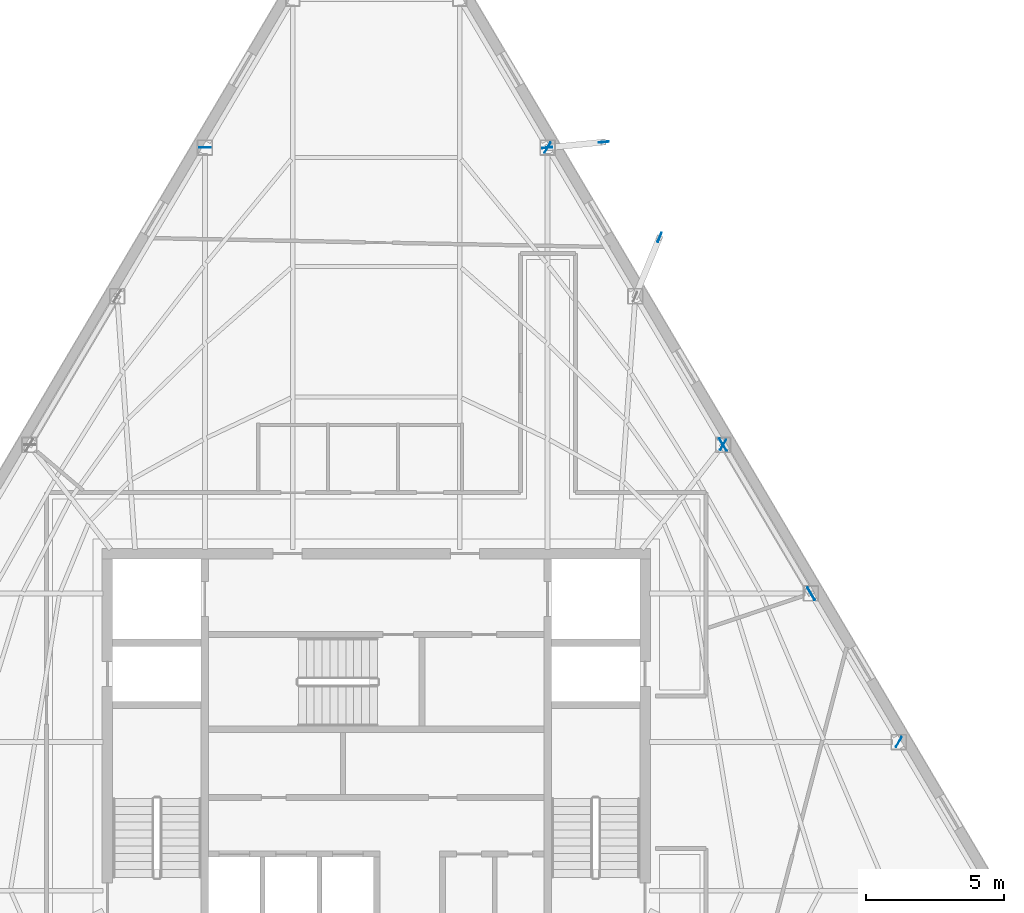
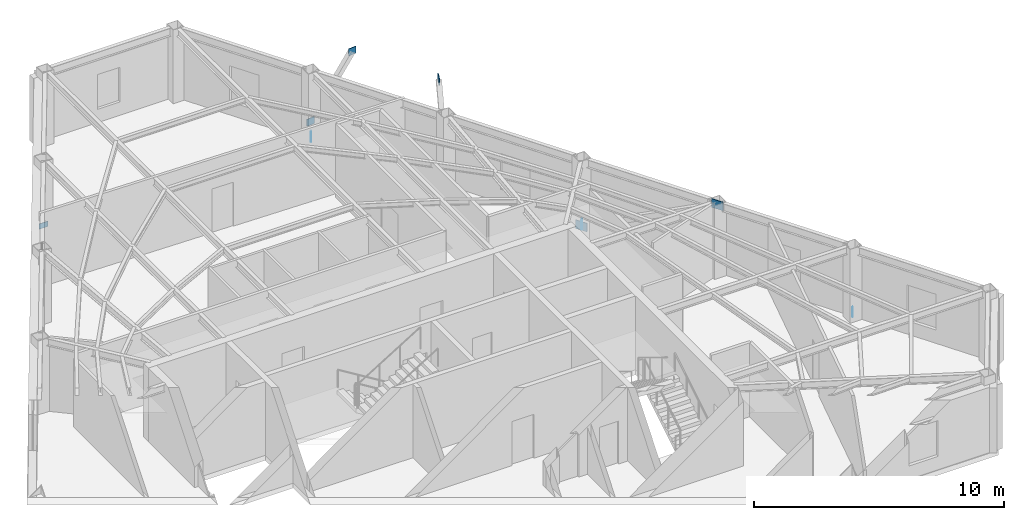
# One storey, part 6 of 10: 9 plates.
"""IFC4 building model written with IfcOpenShell, lengths in metres."""

from ifc_helpers import new_model, si_unit, direction, frame, origin, origin_2d, place, context, subcontext, project, spatial, rectangle, extrude, material, layer, layer_set, type_object, element, save


model = new_model("IFC4")

# Units and contexts
model_context = context("Model", 3, precision=1e-05, world=origin(), true_north=direction((0.0, 1.0)))
body_context = subcontext(model_context, "Body", "Model", "MODEL_VIEW")
ifc_project = project(units=[si_unit("LENGTHUNIT", "METRE"), si_unit("AREAUNIT", "SQUARE_METRE"), si_unit("VOLUMEUNIT", "CUBIC_METRE"), si_unit("PLANEANGLEUNIT", "RADIAN"), si_unit("MASSUNIT", "GRAM", prefix="KILO")], contexts=[model_context])

# Site, building, storey
site_placement = place(None, origin())
site = spatial("IfcSite", under=ifc_project, at=site_placement, CompositionType="ELEMENT")
building_placement = place(site_placement, origin())
building = spatial("IfcBuilding", under=site, at=building_placement, Name="Kavelnor Concourse Tower", CompositionType="ELEMENT")
storey_placement = place(building_placement, frame((0.0, 0.0, 274.14990234375)))
storey = spatial("IfcBuildingStorey", under=building, at=storey_placement, Name="L69", CompositionType="ELEMENT", Elevation=274.14990234375)

# Plates
ifc_material = material(Name="Steel Grade 350", Category="steel")
ifc_layer_1 = layer(ifc_material, 0.028076171875, Name="Steel Grade 350")
ifc_layer_set_1 = layer_set([ifc_layer_1], Name="Steel Grade 350")
plate_type_1 = type_object("IfcPlateType", Name="PL-GUSSET-FOLD", PredefinedType="USERDEFINED", material=ifc_layer_set_1)
for number, where, z_axis, x_axis, name in (
    (1, (48.22998046875, 34.209228515625, 3.48486328125), (0.0, 0.0, 1.0), (0.380586232965, 0.924745434851, 0.0), "L69 Balcony Strut Gusset GP4 2-A End Gusset B"),
    (2, (44.173095703125, 37.447509765625, 0.8798828125), (0.0, 0.0, 1.0), (0.995141863893, 0.098451362239, 0.0), "L69 Balcony Strut Gusset GP4 2-B End Gusset A"),
    (3, (46.212646484375, 37.649169921875, 3.48486328125), (0.0, 0.0, 1.0), (0.995141863893, 0.098451362239, 0.0), "L69 Balcony Strut Gusset GP4 2-B End Gusset B"),
):
    element("IfcPlate", number, at=place(storey_placement, frame(where, z_axis=z_axis, x_axis=x_axis)), inside=storey, type_object=plate_type_1, Name=name, ObjectType="GUSSET_PLATE", PredefinedType="USERDEFINED", context=body_context, shape_type="SweptSolid", body=[
        extrude(rectangle(XDim=0.360107421875, YDim=0.028076171875, at=origin_2d()), origin(), (0.0, 0.0, 1.0), 0.340087890625),
    ])
ifc_layer_2 = layer(ifc_material, 0.031982421875, Name="Steel Grade 350")
ifc_layer_set_2 = layer_set([ifc_layer_2], Name="Steel Grade 350")
plate_type_2 = type_object("IfcPlateType", Name="PL-GUSSET-TUBE-Z1", PredefinedType="USERDEFINED", material=ifc_layer_set_2)
for number, where, z_axis, x_axis, name in (
    (4, (50.519287109375, 26.728515625, 0.01025390625), (0.0, 0.0, 1.0), (0.508740929096, -0.860919663536, 0.0), "L69 Tube Brace Gusset GP3 F2-B2 End Gusset A"),
    (5, (53.701904296875, 21.342529296875, 3.197021484375), (0.0, 0.0, 1.0), (0.508740929096, -0.860919663536, 0.0), "L69 Tube Brace Gusset GP3 F2-B2 End Gusset B"),
):
    element("IfcPlate", number, at=place(storey_placement, frame(where, z_axis=z_axis, x_axis=x_axis)), inside=storey, type_object=plate_type_2, Name=name, ObjectType="GUSSET_PLATE", PredefinedType="USERDEFINED", context=body_context, shape_type="SweptSolid", body=[
        extrude(rectangle(XDim=0.52001953125, YDim=0.031982421875, at=origin_2d()), origin(), (0.0, 0.0, 1.0), 0.419921875),
    ])
ifc_layer_3 = layer(ifc_material, 0.02490234375, Name="Steel Grade 350")
ifc_layer_set_3 = layer_set([ifc_layer_3], Name="Steel Grade 350")
plate_type_3 = type_object("IfcPlateType", Name="PL-SPLICE-FLANGE", PredefinedType="SHEET", material=ifc_layer_set_3)
for number, where, z_axis, x_axis, name in (
    (6, (31.81494140625, 37.448486328125, 0.169921875), (0.0, 0.0, 1.0), (1.0, 0.0, 0.0), "L69 Column Flange Splice Plate F0-B1"),
    (7, (56.8662109375, 15.987548828125, 0.169921875), (0.0, 0.0, 1.0), (-0.5, -0.866025403784, 0.0), "L69 Column Flange Splice Plate F2-B1"),
    (8, (50.525390625, 26.718017578125, 0.169921875), (0.0, 0.0, 1.0), (-0.5, -0.866025403784, 0.0), "L69 Column Flange Splice Plate F2-B3"),
    (9, (44.18505859375, 37.448486328125, 0.169921875), (0.0, 0.0, 1.0), (-0.5, -0.866025403784, 0.0), "L69 Column Flange Splice Plate F2-B5"),
):
    element("IfcPlate", number, at=place(storey_placement, frame(where, z_axis=z_axis, x_axis=x_axis)), inside=storey, type_object=plate_type_3, Name=name, PredefinedType="SHEET", context=body_context, shape_type="SweptSolid", body=[
        extrude(rectangle(XDim=0.419921875, YDim=0.02490234375, at=origin_2d()), origin(), (0.0, 0.0, 1.0), 0.260009765625),
    ])

save(model, "model.ifc")
